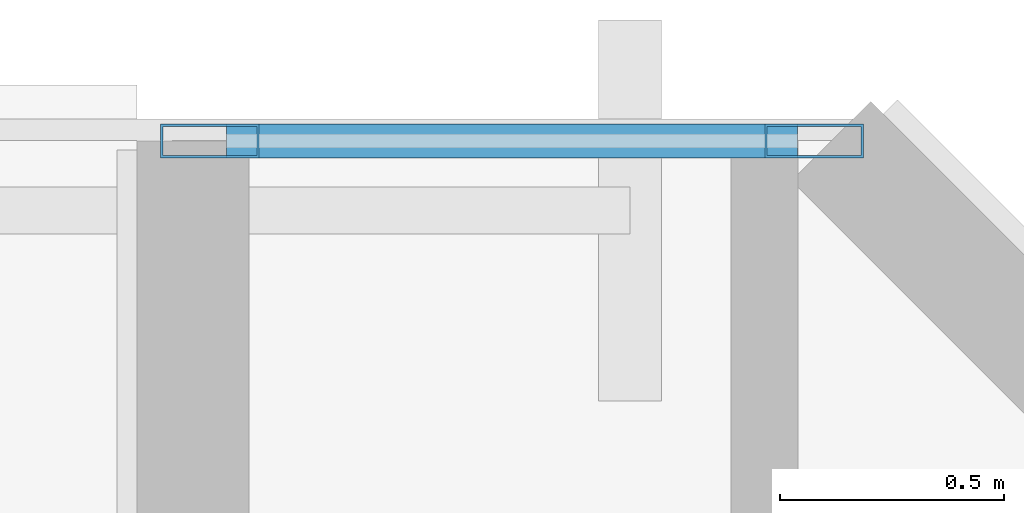
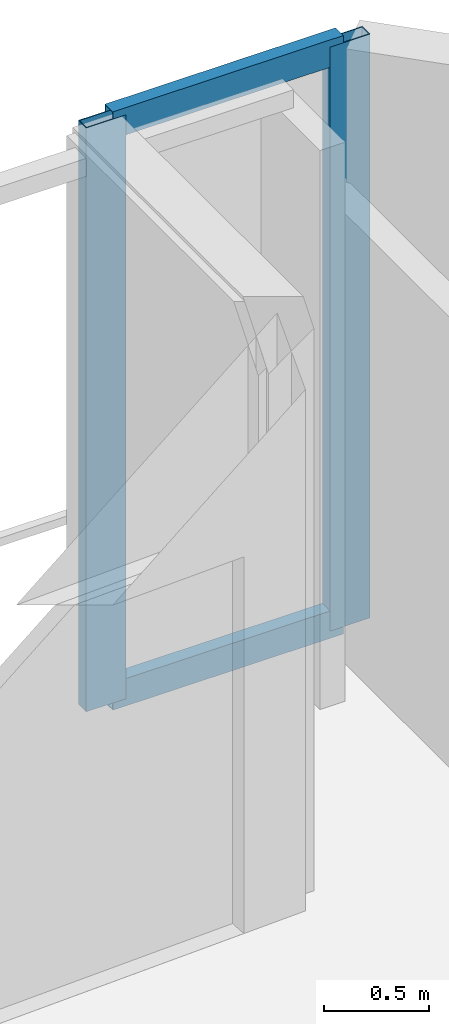
# One storey, part 16 of 28: 4 members, 1 element without a shape of its own.
"""IFC4 building model written with IfcOpenShell, lengths in metres."""

from ifc_helpers import new_model, si_unit, direction, frame, origin, origin_2d, place, context, subcontext, project, spatial, hollow_rectangle, extrude, material, layer, layer_set, material_profile, profile_set, type_object, element, aggregate, save


model = new_model("IFC4")

# Units and contexts
model_context = context("Model", 3, precision=1e-05, world=origin(), true_north=direction((0.0, 1.0)))
body_context = subcontext(model_context, "Body", "Model", "MODEL_VIEW")
ifc_project = project(units=[si_unit("LENGTHUNIT", "METRE"), si_unit("AREAUNIT", "SQUARE_METRE"), si_unit("VOLUMEUNIT", "CUBIC_METRE"), si_unit("PLANEANGLEUNIT", "RADIAN"), si_unit("MASSUNIT", "GRAM", prefix="KILO")], contexts=[model_context])

# Site, building, storey
site_placement = place(None, origin())
site = spatial("IfcSite", under=ifc_project, at=site_placement, CompositionType="ELEMENT")
building_placement = place(site_placement, origin())
building = spatial("IfcBuilding", under=site, at=building_placement, Name="Tanjung Sevakor Pilgrim Tower", CompositionType="ELEMENT")
storey_placement = place(building_placement, frame((0.0, 0.0, 158.39990234375)))
storey = spatial("IfcBuildingStorey", under=building, at=storey_placement, Name="L44", CompositionType="ELEMENT", Elevation=158.39990234375)

# Curtain wall, members
ifc_material_1 = material(Name="Aluminium 6063-T6 and Low-E Glass", Category="aluminium")
ifc_layer = layer(ifc_material_1, 0.199951171875)
ifc_layer_set = layer_set([ifc_layer], Name="CW-SYS-PRAY")
curtain_wall_type = type_object("IfcCurtainWallType", Name="CW-SYS-PRAY", PredefinedType="NOTDEFINED", material=ifc_layer_set)
curtain_wall_placement = place(storey_placement, origin())
curtain_wall = element("IfcCurtainWall", 1, at=curtain_wall_placement, inside=storey, type_object=curtain_wall_type, Name="L44 Curtain Wall CW-PRY-L44-18", PredefinedType="NOTDEFINED")
ifc_material_2 = material(Name="Aluminium 6063-T6", Category="aluminium")
ifc_material_profile_1 = material_profile(ifc_material_2, hollow_rectangle(XDim=0.074951171875, YDim=0.219970703125, WallThickness=0.0048828125, at=origin_2d()))
ifc_profile_set_1 = profile_set([ifc_material_profile_1], Name="Aluminium 6063-T6")
member_type_1 = type_object("IfcMemberType", Name="TYPE-CWM-2", PredefinedType="MULLION", material=ifc_profile_set_1)
member_1_placement = place(storey_placement, frame((95.710693359375, 55.175048828125, 0.0), z_axis=(0.0, 0.0, 1.0), x_axis=(0.0, -1.0, 0.0)))
member_1 = element("IfcMember", 2, at=member_1_placement, type_object=member_type_1, Name="CW-PRY mullion 1", PredefinedType="MULLION", context=body_context, shape_type="SweptSolid", body=[
    extrude(hollow_rectangle(XDim=0.074951171875, YDim=0.219970703125, WallThickness=0.0048828125, at=origin_2d()), origin(), (0.0, 0.0, 1.0), 3.41015625),
])
member_2_placement = place(storey_placement, frame((94.362548828125, 55.175048828125, 0.0), z_axis=(0.0, 0.0, 1.0), x_axis=(0.0, -1.0, 0.0)))
member_2 = element("IfcMember", 3, at=member_2_placement, type_object=member_type_1, Name="CW-PRY mullion 2", PredefinedType="MULLION", context=body_context, shape_type="SweptSolid", body=[
    extrude(hollow_rectangle(XDim=0.074951171875, YDim=0.219970703125, WallThickness=0.0048828125, at=origin_2d()), origin(), (0.0, 0.0, 1.0), 3.41015625),
])
ifc_material_3 = material(Name="Aluminium 6063-T6", Category="aluminium")
ifc_material_profile_2 = material_profile(ifc_material_3, hollow_rectangle(XDim=0.074951171875, YDim=0.159912109375, WallThickness=0.00439453125, at=origin_2d()))
ifc_profile_set_2 = profile_set([ifc_material_profile_2], Name="Aluminium 6063-T6")
member_type_2 = type_object("IfcMemberType", Name="TYPE-CWT-2", PredefinedType="USERDEFINED", material=ifc_profile_set_2)
member_3_placement = place(storey_placement, frame((95.673095703125, 55.175048828125, 0.03759765625), z_axis=(-1.0, 0.0, 0.0), x_axis=(0.0, -1.0, 0.0)))
member_3 = element("IfcMember", 4, at=member_3_placement, type_object=member_type_2, Name="CW-PRY transom 1.1", ObjectType="TRANSOM", PredefinedType="USERDEFINED", context=body_context, shape_type="SweptSolid", body=[
    extrude(hollow_rectangle(XDim=0.074951171875, YDim=0.159912109375, WallThickness=0.00439453125, at=origin_2d()), origin(), (0.0, 0.0, 1.0), 1.273193359375),
])
member_4_placement = place(storey_placement, frame((95.673095703125, 55.175048828125, 3.37255859375), z_axis=(-1.0, 0.0, 0.0), x_axis=(0.0, -1.0, 0.0)))
member_4 = element("IfcMember", 5, at=member_4_placement, type_object=member_type_2, Name="CW-PRY transom 1.2", ObjectType="TRANSOM", PredefinedType="USERDEFINED", context=body_context, shape_type="SweptSolid", body=[
    extrude(hollow_rectangle(XDim=0.074951171875, YDim=0.159912109375, WallThickness=0.00439453125, at=origin_2d()), origin(), (0.0, 0.0, 1.0), 1.273193359375),
])
aggregate(curtain_wall, [member_1, member_2, member_3, member_4])

save(model, "model.ifc")
